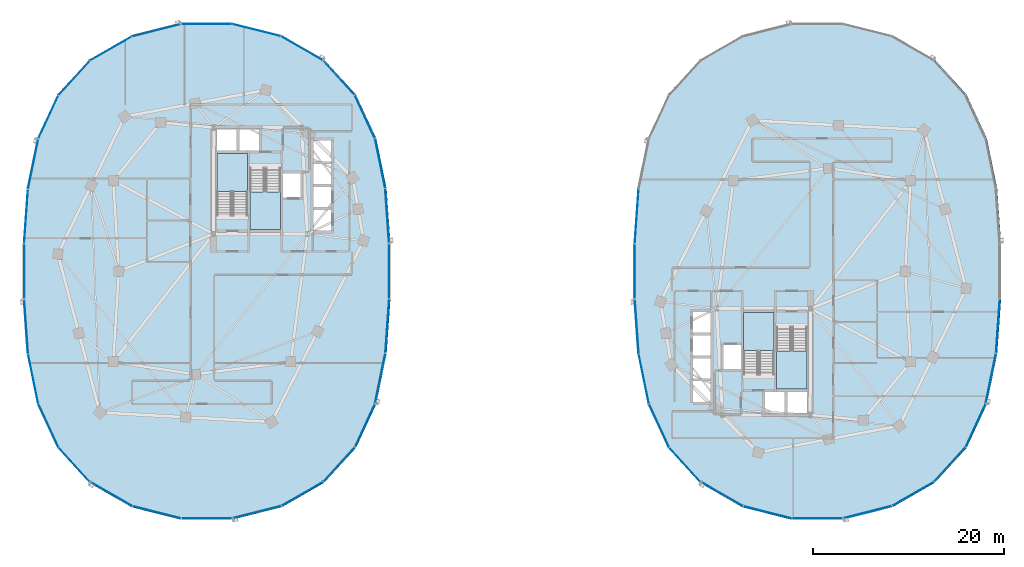
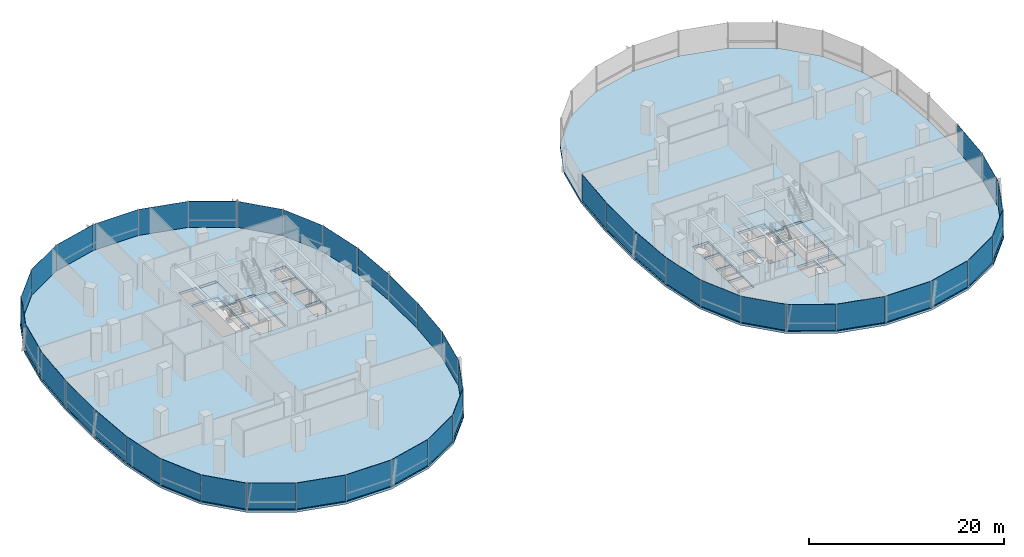
# One storey, part 9 of 21: 43 plates, 6 slabs, 11 elements without a shape of their own.
"""IFC4 building model written with IfcOpenShell, lengths in metres."""

import ifcopenshell
import ifcopenshell.guid

model = None  # the IFC model being written
_history = None  # IfcOwnerHistory: only IFC2X3 demands one
_inside = {}  # id of a spatial element -> (the spatial element, [elements in it])
_under = {}  # id of a project, library or spatial element -> (it, [spatial elements below it])
_declared = {}  # id of a project -> (the project, [libraries it declares])
_typed = {}  # id of a type object -> (the type object, [elements of that type])
_made_of = {}  # id of a material, layer set ... -> (it, [elements and type objects made of it])


def new_model(schema):
    """Start an empty IFC model of exactly this schema.

    Asked for "IFC4X3", IfcOpenShell would pick the latest addendum, in which some entities
    have other attributes; the version numbers below select the first issue.
    IFC2X3 requires an IfcOwnerHistory on every rooted entity: one is made here for all.
    """
    global model, _history
    if schema == "IFC4X3":
        model = ifcopenshell.file(schema_version=(4, 3, 0, 0))
    else:
        model = ifcopenshell.file(schema=schema)
    _inside.clear()
    _under.clear()
    _declared.clear()
    _typed.clear()
    _made_of.clear()
    _history = None
    if model.schema == "IFC2X3":
        org = make("IfcOrganization", Name="unknown")
        user = make(
            "IfcPersonAndOrganization",
            ThePerson=make("IfcPerson", FamilyName="unknown"),
            TheOrganization=org,
        )
        app = make(
            "IfcApplication",
            ApplicationDeveloper=org,
            Version="unknown",
            ApplicationFullName="unknown",
            ApplicationIdentifier="unknown",
        )
        _history = make(
            "IfcOwnerHistory",
            OwningUser=user,
            OwningApplication=app,
            ChangeAction="ADDED",
            CreationDate=0,
        )
    return model


def make(cls, **values):
    """One entity of the class cls with the attributes given. An attribute that is None is left unset."""
    return model.create_entity(
        cls, **{name: value for name, value in values.items() if value is not None}
    )


def rooted(cls, **values):
    """An entity with a GlobalId (a new one), such as an element, a storey or a relation."""
    return make(cls, GlobalId=ifcopenshell.guid.new(), OwnerHistory=_history, **values)


def si_unit(unit_type, name, prefix=None):
    """IfcSIUnit, for example si_unit("LENGTHUNIT", "METRE", prefix="MILLI")."""
    return make("IfcSIUnit", UnitType=unit_type, Prefix=prefix, Name=name)


def assignment(units):
    """IfcUnitAssignment: the units of a project."""
    return None if units is None else make("IfcUnitAssignment", Units=units)


def point(xyz):
    """IfcCartesianPoint."""
    return None if xyz is None else make("IfcCartesianPoint", Coordinates=xyz)


def direction(xyz):
    """IfcDirection."""
    return None if xyz is None else make("IfcDirection", DirectionRatios=xyz)


def frame(location, z_axis=None, x_axis=None):
    """IfcAxis2Placement3D, a coordinate frame: its origin and axes. An axis left out is left unset."""
    return make(
        "IfcAxis2Placement3D",
        Location=point(location),
        Axis=direction(z_axis),
        RefDirection=direction(x_axis),
    )


def frame_2d(location, x_axis=None):
    """IfcAxis2Placement2D, a coordinate frame in the plane: its origin and x axis."""
    return make(
        "IfcAxis2Placement2D", Location=point(location), RefDirection=direction(x_axis)
    )


def origin():
    """The frame at (0, 0, 0) with its axes left unset."""
    return frame((0.0, 0.0, 0.0))


def origin_2d():
    """The frame at (0, 0) in the plane with its x axis left unset."""
    return frame_2d((0.0, 0.0))


def place(relative_to, where):
    """IfcLocalPlacement: puts the frame where relative to a parent placement (None: the world)."""
    return make(
        "IfcLocalPlacement", PlacementRelTo=relative_to, RelativePlacement=where
    )


def context(
    kind, dimensions, precision=None, world=None, true_north=None, identifier=None
):
    """IfcGeometricRepresentationContext, for example the 3D "Model" context."""
    return make(
        "IfcGeometricRepresentationContext",
        ContextIdentifier=identifier,
        ContextType=kind,
        CoordinateSpaceDimension=dimensions,
        Precision=precision,
        WorldCoordinateSystem=world,
        TrueNorth=true_north,
    )


def subcontext(parent, identifier, kind, view, scale=None):
    """IfcGeometricRepresentationSubContext, for example "Body" below "Model"."""
    return make(
        "IfcGeometricRepresentationSubContext",
        ContextIdentifier=identifier,
        ContextType=kind,
        ParentContext=parent,
        TargetScale=scale,
        TargetView=view,
    )


def project(units=None, contexts=None):
    """IfcProject with its units and contexts."""
    return rooted(
        "IfcProject",
        Name="project",
        RepresentationContexts=contexts,
        UnitsInContext=assignment(units),
    )


def spatial(cls, under=None, at=None, **own):
    """A site, building, storey or space (cls), placed at a placement, below another one or the project."""
    s = rooted(cls, ObjectPlacement=at, **own)
    if under is not None:
        _under.setdefault(under.id(), (under, []))[1].append(s)
    return s


def polyline(points):
    """IfcPolyline through the points."""
    return make("IfcPolyline", Points=[point(p) for p in points])


def profile(cls, at=None, kind="AREA", **sizes):
    """A parametric profile (cls). Its sizes go by their IFC names, for example OverallWidth=200.0."""
    return make(cls, ProfileType=kind, Position=at, **sizes)


def rectangle(**sizes):
    """IfcRectangleProfileDef."""
    return profile("IfcRectangleProfileDef", **sizes)


def outline(outer, holes=None, kind="AREA"):
    """IfcArbitraryClosedProfileDef: a profile drawn as a closed curve; with holes, ...WithVoids."""
    if holes is None:
        return make("IfcArbitraryClosedProfileDef", ProfileType=kind, OuterCurve=outer)
    return make(
        "IfcArbitraryProfileDefWithVoids",
        ProfileType=kind,
        OuterCurve=outer,
        InnerCurves=holes,
    )


def extrude(swept, where, along, depth):
    """IfcExtrudedAreaSolid: the profile swept, set in the frame where, extruded along a direction by depth."""
    return make(
        "IfcExtrudedAreaSolid",
        SweptArea=swept,
        Position=where,
        ExtrudedDirection=direction(along),
        Depth=depth,
    )


def shape(context_of_items, identifier, shape_type, items):
    """IfcShapeRepresentation: the items that make up one representation, for example the "Body"."""
    return make(
        "IfcShapeRepresentation",
        ContextOfItems=context_of_items,
        RepresentationIdentifier=identifier,
        RepresentationType=shape_type,
        Items=items,
    )


def material(Name=None, Category=None):
    """IfcMaterial."""
    return make("IfcMaterial", Name=Name, Category=Category)


def layer(
    of_material, thickness, ventilated=None, Name=None, Category=None, Priority=None
):
    """IfcMaterialLayer: one layer of a wall or slab, of a material (None: an air gap)."""
    return make(
        "IfcMaterialLayer",
        Material=of_material,
        LayerThickness=thickness,
        IsVentilated=ventilated,
        Name=Name,
        Category=Category,
        Priority=Priority,
    )


def layer_set(layers, Name=None):
    """IfcMaterialLayerSet."""
    return make("IfcMaterialLayerSet", MaterialLayers=layers, LayerSetName=Name)


def made_of(thing, what):
    """Note that an element or type object is made of a material, layer set ...; save() writes the relation."""
    if what is not None:
        _made_of.setdefault(what.id(), (what, []))[1].append(thing)
    return thing


def type_object(cls, material=None, **own):
    """A type object (cls), such as IfcWallType, which elements share."""
    return made_of(rooted(cls, **own), material)


def element(
    cls,
    number,
    at=None,
    inside=None,
    cuts=None,
    type_object=None,
    material=None,
    context=None,
    identifier="Body",
    shape_type=None,
    held_by="IfcProductDefinitionShape",
    body=None,
    shapes=None,
    **own,
):
    """One element of the class cls, such as IfcWall. Its Tag is "e" and its number.

    at: its placement. inside: the storey or other place that contains it. cuts: it is an
    opening in that element (IfcRelVoidsElement). A single representation is given by context,
    identifier, shape_type and body (its items); several are given by shapes. held_by: the class
    of the entity that holds the representations. save() writes the other relations.
    """
    e = rooted(cls, Tag="e%d" % number, ObjectPlacement=at, **own)
    if body is not None:
        shapes = [shape(context, identifier, shape_type, body)]
    if shapes is not None:
        e.Representation = make(held_by, Representations=shapes)
    if inside is not None:
        _inside.setdefault(inside.id(), (inside, []))[1].append(e)
    if cuts is not None:
        rooted(
            "IfcRelVoidsElement", RelatingBuildingElement=cuts, RelatedOpeningElement=e
        )
    if type_object is not None:
        _typed.setdefault(type_object.id(), (type_object, []))[1].append(e)
    return made_of(e, material)


def aggregate(whole, parts):
    """IfcRelAggregates: a whole, such as a stair, and the parts it consists of."""
    return rooted("IfcRelAggregates", RelatingObject=whole, RelatedObjects=parts)


def save(model, path):
    """Write the relations noted so far, then the file.

    IfcRelAggregates (storeys below a building ...), IfcRelContainedInSpatialStructure (elements
    in a storey), IfcRelDefinesByType, IfcRelAssociatesMaterial and IfcRelDeclares: one each for
    every whole, place, type object, material and project.
    """
    for whole, parts in _under.values():
        aggregate(whole, parts)
    for where, things in _inside.values():
        rooted(
            "IfcRelContainedInSpatialStructure",
            RelatedElements=things,
            RelatingStructure=where,
        )
    for kind, things in _typed.values():
        rooted("IfcRelDefinesByType", RelatedObjects=things, RelatingType=kind)
    for what, things in _made_of.values():
        rooted("IfcRelAssociatesMaterial", RelatedObjects=things, RelatingMaterial=what)
    for by, libraries in _declared.values():
        rooted("IfcRelDeclares", RelatingContext=by, RelatedDefinitions=libraries)
    model.write(path)


model = new_model("IFC4")

# Units and contexts
model_context = context("Model", 3, precision=1e-05, world=origin(), true_north=direction((0.0, 1.0)))
body_context = subcontext(model_context, "Body", "Model", "MODEL_VIEW")
ifc_project = project(units=[si_unit("LENGTHUNIT", "METRE"), si_unit("AREAUNIT", "SQUARE_METRE"), si_unit("VOLUMEUNIT", "CUBIC_METRE"), si_unit("PLANEANGLEUNIT", "RADIAN"), si_unit("MASSUNIT", "GRAM", prefix="KILO"), si_unit("THERMODYNAMICTEMPERATUREUNIT", "KELVIN"), si_unit("POWERUNIT", "WATT")], contexts=[model_context])

# Site, building, storey
site_placement = place(None, origin())
site = spatial("IfcSite", under=ifc_project, at=site_placement, CompositionType="ELEMENT")
building_placement = place(site_placement, origin())
building = spatial("IfcBuilding", under=site, at=building_placement, Name="Cundina Bronze Exchange", CompositionType="ELEMENT")
storey_placement = place(building_placement, frame((0.0, 0.0, 99.800048828125)))
storey = spatial("IfcBuildingStorey", under=building, at=storey_placement, Name="L25", CompositionType="ELEMENT", Elevation=99.800048828125)

# Curtain wall, plates
ifc_material_1 = material(Name="Anodised Bronze Aluminium 6063-T6", Category="aluminium")
curtain_wall_type = type_object("IfcCurtainWallType", Name="CWS-TRD-MID", PredefinedType="NOTDEFINED", material=ifc_material_1)
curtain_wall_1_placement = place(storey_placement, origin())
curtain_wall_1 = element("IfcCurtainWall", 1, at=curtain_wall_1_placement, inside=storey, type_object=curtain_wall_type, Name="L25 CW-03 Curtain Wall Run CWR-L25-W1", PredefinedType="NOTDEFINED")
ifc_material_2 = material(Name="Heat-Strengthened Solar-Control Bronze Safety Glass 28mm", Category="glass")
ifc_layer_1 = layer(ifc_material_2, 0.028076171875, Name="Heat-Strengthened Solar-Control Bronze Safety Glass 28mm", Category="glass")
ifc_layer_set_1 = layer_set([ifc_layer_1], Name="Heat-Strengthened Solar-Control Bronze Safety Glass 28mm")
plate_type_1 = type_object("IfcPlateType", Name="PLT-GLZ-VIS28", PredefinedType="CURTAIN_PANEL", material=ifc_layer_set_1)
plate_1_placement = place(storey_placement, frame((-13.0732421875, 5.783935546875, 0.02001953125), z_axis=(0.0, 0.0, 1.0), x_axis=(-0.070278787473, 0.997527389113, 0.0)))
plate_1 = element("IfcPlate", 2, at=plate_1_placement, type_object=plate_type_1, Name="CW-03 Glazed Panel 1", PredefinedType="CURTAIN_PANEL", context=body_context, shape_type="SweptSolid", body=[
    extrude(rectangle(XDim=5.644287109375, YDim=0.028076171875, at=origin_2d()), origin(), (0.0, 0.0, 1.0), 3.260009765625),
])
plate_2_placement = place(storey_placement, frame((-13.81591796875, 11.269775390625, 0.02001953125), z_axis=(0.0, 0.0, 1.0), x_axis=(-0.201419845156, 0.979505000486, 0.0)))
plate_2 = element("IfcPlate", 3, at=plate_2_placement, type_object=plate_type_1, Name="CW-03 Glazed Panel 2", PredefinedType="CURTAIN_PANEL", context=body_context, shape_type="SweptSolid", body=[
    extrude(rectangle(XDim=5.306640625, YDim=0.028076171875, at=origin_2d()), origin(), (0.0, 0.0, 1.0), 3.260009765625),
])
plate_3_placement = place(storey_placement, frame((-15.413818359375, 16.177734375, 0.02001953125), z_axis=(0.0, 0.0, 1.0), x_axis=(-0.42084583328, 0.907132175932, 0.0)))
plate_3 = element("IfcPlate", 4, at=plate_3_placement, type_object=plate_type_1, Name="CW-03 Glazed Panel 3", PredefinedType="CURTAIN_PANEL", context=body_context, shape_type="SweptSolid", body=[
    extrude(rectangle(XDim=4.966552734375, YDim=0.028076171875, at=origin_2d()), origin(), (0.0, 0.0, 1.0), 3.260009765625),
])
plate_4_placement = place(storey_placement, frame((-18.1259765625, 20.267333984375, 0.02001953125), z_axis=(0.0, 0.0, 1.0), x_axis=(-0.674276610219, 0.73847887777, 0.0)))
plate_4 = element("IfcPlate", 5, at=plate_4_placement, type_object=plate_type_1, Name="CW-03 Glazed Panel 4", PredefinedType="CURTAIN_PANEL", context=body_context, shape_type="SweptSolid", body=[
    extrude(rectangle(XDim=4.86328125, YDim=0.028076171875, at=origin_2d()), origin(), (0.0, 0.0, 1.0), 3.260009765625),
])
plate_5_placement = place(storey_placement, frame((-26.744384765625, 25.256591796875, 0.02001953125), z_axis=(0.0, 0.0, 1.0), x_axis=(-0.969488149345, 0.245138182011, 0.0)))
plate_5 = element("IfcPlate", 6, at=plate_5_placement, type_object=plate_type_1, Name="CW-03 Glazed Panel 6", PredefinedType="CURTAIN_PANEL", context=body_context, shape_type="SweptSolid", body=[
    extrude(rectangle(XDim=5.2333984375, YDim=0.028076171875, at=origin_2d()), origin(), (0.0, 0.0, 1.0), 3.260009765625),
])
plate_6_placement = place(storey_placement, frame((-32.0, 25.905029296875, 0.02001953125), z_axis=(0.0, 0.0, 1.0), x_axis=(-1.0, 0.0, 0.0)))
plate_6 = element("IfcPlate", 7, at=plate_6_placement, type_object=plate_type_1, Name="CW-03 Glazed Panel 7", PredefinedType="CURTAIN_PANEL", context=body_context, shape_type="SweptSolid", body=[
    extrude(rectangle(XDim=5.323974609375, YDim=0.028076171875, at=origin_2d()), origin(), (0.0, 0.0, 1.0), 3.260009765625),
])

curtain_wall_2_placement = place(storey_placement, origin())
curtain_wall_2 = element("IfcCurtainWall", 8, at=curtain_wall_2_placement, inside=storey, type_object=curtain_wall_type, Name="L25 CW-03 Curtain Wall Run CWR-L25-W2", PredefinedType="NOTDEFINED")
plate_7_placement = place(storey_placement, frame((-37.255615234375, 25.256591796875, 0.02001953125), z_axis=(0.0, 0.0, 1.0), x_axis=(-0.969488149345, -0.245138182011, 0.0)))
plate_7 = element("IfcPlate", 9, at=plate_7_placement, type_object=plate_type_1, Name="CW-03 Glazed Panel 1", PredefinedType="CURTAIN_PANEL", context=body_context, shape_type="SweptSolid", body=[
    extrude(rectangle(XDim=5.2333984375, YDim=0.028076171875, at=origin_2d()), origin(), (0.0, 0.0, 1.0), 3.260009765625),
])
plate_8_placement = place(storey_placement, frame((-42.019287109375, 23.34423828125, 0.02001953125), z_axis=(0.0, 0.0, 1.0), x_axis=(-0.867105478933, -0.498124571171, 0.0)))
plate_8 = element("IfcPlate", 10, at=plate_8_placement, type_object=plate_type_1, Name="CW-03 Glazed Panel 2", PredefinedType="CURTAIN_PANEL", context=body_context, shape_type="SweptSolid", body=[
    extrude(rectangle(XDim=5.021240234375, YDim=0.028076171875, at=origin_2d()), origin(), (0.0, 0.0, 1.0), 3.260009765625),
])
plate_9_placement = place(storey_placement, frame((-45.8740234375, 20.267333984375, 0.02001953125), z_axis=(0.0, 0.0, 1.0), x_axis=(-0.674276610219, -0.73847887777, 0.0)))
plate_9 = element("IfcPlate", 11, at=plate_9_placement, type_object=plate_type_1, Name="CW-03 Glazed Panel 3", PredefinedType="CURTAIN_PANEL", context=body_context, shape_type="SweptSolid", body=[
    extrude(rectangle(XDim=4.86328125, YDim=0.028076171875, at=origin_2d()), origin(), (0.0, 0.0, 1.0), 3.260009765625),
])
plate_10_placement = place(storey_placement, frame((-50.18408203125, 11.269775390625, 0.02001953125), z_axis=(0.0, 0.0, 1.0), x_axis=(-0.201419845156, -0.979505000486, 0.0)))
plate_10 = element("IfcPlate", 12, at=plate_10_placement, type_object=plate_type_1, Name="CW-03 Glazed Panel 5", PredefinedType="CURTAIN_PANEL", context=body_context, shape_type="SweptSolid", body=[
    extrude(rectangle(XDim=5.306640625, YDim=0.028076171875, at=origin_2d()), origin(), (0.0, 0.0, 1.0), 3.260009765625),
])
plate_11_placement = place(storey_placement, frame((-50.9267578125, 5.783935546875, 0.02001953125), z_axis=(0.0, 0.0, 1.0), x_axis=(-0.070278787473, -0.997527389113, 0.0)))
plate_11 = element("IfcPlate", 13, at=plate_11_placement, type_object=plate_type_1, Name="CW-03 Glazed Panel 6", PredefinedType="CURTAIN_PANEL", context=body_context, shape_type="SweptSolid", body=[
    extrude(rectangle(XDim=5.644287109375, YDim=0.028076171875, at=origin_2d()), origin(), (0.0, 0.0, 1.0), 3.260009765625),
])
plate_12_placement = place(storey_placement, frame((-51.1279296875, 0.0, 0.02001953125), z_axis=(0.0, 0.0, 1.0), x_axis=(0.0, -1.0, 0.0)))
plate_12 = element("IfcPlate", 14, at=plate_12_placement, type_object=plate_type_1, Name="CW-03 Glazed Panel 7", PredefinedType="CURTAIN_PANEL", context=body_context, shape_type="SweptSolid", body=[
    extrude(rectangle(XDim=5.77587890625, YDim=0.028076171875, at=origin_2d()), origin(), (0.0, 0.0, 1.0), 3.260009765625),
])

curtain_wall_3_placement = place(storey_placement, origin())
curtain_wall_3 = element("IfcCurtainWall", 15, at=curtain_wall_3_placement, inside=storey, type_object=curtain_wall_type, Name="L25 CW-03 Curtain Wall Run CWR-L25-W3", PredefinedType="NOTDEFINED")
plate_13_placement = place(storey_placement, frame((-50.9267578125, -5.783935546875, 0.02001953125), z_axis=(0.0, 0.0, 1.0), x_axis=(0.070278787473, -0.997527389113, 0.0)))
plate_13 = element("IfcPlate", 16, at=plate_13_placement, type_object=plate_type_1, Name="CW-03 Glazed Panel 1", PredefinedType="CURTAIN_PANEL", context=body_context, shape_type="SweptSolid", body=[
    extrude(rectangle(XDim=5.644287109375, YDim=0.028076171875, at=origin_2d()), origin(), (0.0, 0.0, 1.0), 3.260009765625),
])
plate_14_placement = place(storey_placement, frame((-50.18408203125, -11.269775390625, 0.02001953125), z_axis=(0.0, 0.0, 1.0), x_axis=(0.201419845156, -0.979505000486, 0.0)))
plate_14 = element("IfcPlate", 17, at=plate_14_placement, type_object=plate_type_1, Name="CW-03 Glazed Panel 2", PredefinedType="CURTAIN_PANEL", context=body_context, shape_type="SweptSolid", body=[
    extrude(rectangle(XDim=5.306640625, YDim=0.028076171875, at=origin_2d()), origin(), (0.0, 0.0, 1.0), 3.260009765625),
])
plate_15_placement = place(storey_placement, frame((-45.8740234375, -20.267333984375, 0.02001953125), z_axis=(0.0, 0.0, 1.0), x_axis=(0.674276610219, -0.73847887777, 0.0)))
plate_15 = element("IfcPlate", 18, at=plate_15_placement, type_object=plate_type_1, Name="CW-03 Glazed Panel 4", PredefinedType="CURTAIN_PANEL", context=body_context, shape_type="SweptSolid", body=[
    extrude(rectangle(XDim=4.86328125, YDim=0.028076171875, at=origin_2d()), origin(), (0.0, 0.0, 1.0), 3.260009765625),
])
plate_16_placement = place(storey_placement, frame((-42.019287109375, -23.34423828125, 0.02001953125), z_axis=(0.0, 0.0, 1.0), x_axis=(0.867105478933, -0.498124571171, 0.0)))
plate_16 = element("IfcPlate", 19, at=plate_16_placement, type_object=plate_type_1, Name="CW-03 Glazed Panel 5", PredefinedType="CURTAIN_PANEL", context=body_context, shape_type="SweptSolid", body=[
    extrude(rectangle(XDim=5.021240234375, YDim=0.028076171875, at=origin_2d()), origin(), (0.0, 0.0, 1.0), 3.260009765625),
])
plate_17_placement = place(storey_placement, frame((-37.255615234375, -25.256591796875, 0.02001953125), z_axis=(0.0, 0.0, 1.0), x_axis=(0.969488149345, -0.245138182011, 0.0)))
plate_17 = element("IfcPlate", 20, at=plate_17_placement, type_object=plate_type_1, Name="CW-03 Glazed Panel 6", PredefinedType="CURTAIN_PANEL", context=body_context, shape_type="SweptSolid", body=[
    extrude(rectangle(XDim=5.2333984375, YDim=0.028076171875, at=origin_2d()), origin(), (0.0, 0.0, 1.0), 3.260009765625),
])
plate_18_placement = place(storey_placement, frame((-32.0, -25.905029296875, 0.02001953125), z_axis=(0.0, 0.0, 1.0), x_axis=(1.0, 0.0, 0.0)))
plate_18 = element("IfcPlate", 21, at=plate_18_placement, type_object=plate_type_1, Name="CW-03 Glazed Panel 7", PredefinedType="CURTAIN_PANEL", context=body_context, shape_type="SweptSolid", body=[
    extrude(rectangle(XDim=5.323974609375, YDim=0.028076171875, at=origin_2d()), origin(), (0.0, 0.0, 1.0), 3.260009765625),
])

curtain_wall_4_placement = place(storey_placement, origin())
curtain_wall_4 = element("IfcCurtainWall", 22, at=curtain_wall_4_placement, inside=storey, type_object=curtain_wall_type, Name="L25 CW-03 Curtain Wall Run CWR-L25-W4", PredefinedType="NOTDEFINED")
plate_19_placement = place(storey_placement, frame((-26.744384765625, -25.256591796875, 0.02001953125), z_axis=(0.0, 0.0, 1.0), x_axis=(0.969488149345, 0.245138182011, 0.0)))
plate_19 = element("IfcPlate", 23, at=plate_19_placement, type_object=plate_type_1, Name="CW-03 Glazed Panel 1", PredefinedType="CURTAIN_PANEL", context=body_context, shape_type="SweptSolid", body=[
    extrude(rectangle(XDim=5.2333984375, YDim=0.028076171875, at=origin_2d()), origin(), (0.0, 0.0, 1.0), 3.260009765625),
])
plate_20_placement = place(storey_placement, frame((-18.1259765625, -20.267333984375, 0.02001953125), z_axis=(0.0, 0.0, 1.0), x_axis=(0.674276610219, 0.73847887777, 0.0)))
plate_20 = element("IfcPlate", 24, at=plate_20_placement, type_object=plate_type_1, Name="CW-03 Glazed Panel 3", PredefinedType="CURTAIN_PANEL", context=body_context, shape_type="SweptSolid", body=[
    extrude(rectangle(XDim=4.86328125, YDim=0.028076171875, at=origin_2d()), origin(), (0.0, 0.0, 1.0), 3.260009765625),
])
plate_21_placement = place(storey_placement, frame((-15.413818359375, -16.177734375, 0.02001953125), z_axis=(0.0, 0.0, 1.0), x_axis=(0.42084583328, 0.907132175932, 0.0)))
plate_21 = element("IfcPlate", 25, at=plate_21_placement, type_object=plate_type_1, Name="CW-03 Glazed Panel 4", PredefinedType="CURTAIN_PANEL", context=body_context, shape_type="SweptSolid", body=[
    extrude(rectangle(XDim=4.966552734375, YDim=0.028076171875, at=origin_2d()), origin(), (0.0, 0.0, 1.0), 3.260009765625),
])
plate_22_placement = place(storey_placement, frame((-13.81591796875, -11.269775390625, 0.02001953125), z_axis=(0.0, 0.0, 1.0), x_axis=(0.201419845156, 0.979505000486, 0.0)))
plate_22 = element("IfcPlate", 26, at=plate_22_placement, type_object=plate_type_1, Name="CW-03 Glazed Panel 5", PredefinedType="CURTAIN_PANEL", context=body_context, shape_type="SweptSolid", body=[
    extrude(rectangle(XDim=5.306640625, YDim=0.028076171875, at=origin_2d()), origin(), (0.0, 0.0, 1.0), 3.260009765625),
])
plate_23_placement = place(storey_placement, frame((-13.0732421875, -5.783935546875, 0.02001953125), z_axis=(0.0, 0.0, 1.0), x_axis=(0.070278787473, 0.997527389113, 0.0)))
plate_23 = element("IfcPlate", 27, at=plate_23_placement, type_object=plate_type_1, Name="CW-03 Glazed Panel 6", PredefinedType="CURTAIN_PANEL", context=body_context, shape_type="SweptSolid", body=[
    extrude(rectangle(XDim=5.644287109375, YDim=0.028076171875, at=origin_2d()), origin(), (0.0, 0.0, 1.0), 3.260009765625),
])

curtain_wall_5_placement = place(storey_placement, origin())
curtain_wall_5 = element("IfcCurtainWall", 28, at=curtain_wall_5_placement, inside=storey, type_object=curtain_wall_type, Name="L25 CW-03 Curtain Wall Run CWR-L25-E2", PredefinedType="NOTDEFINED")
plate_24_placement = place(storey_placement, frame((13.0732421875, 5.783935546875, 0.02001953125), z_axis=(0.0, 0.0, 1.0), x_axis=(-0.070278787473, -0.997527389113, 0.0)))
plate_24 = element("IfcPlate", 29, at=plate_24_placement, type_object=plate_type_1, Name="CW-03 Glazed Panel 6", PredefinedType="CURTAIN_PANEL", context=body_context, shape_type="SweptSolid", body=[
    extrude(rectangle(XDim=5.644287109375, YDim=0.028076171875, at=origin_2d()), origin(), (0.0, 0.0, 1.0), 3.260009765625),
])
plate_25_placement = place(storey_placement, frame((12.8720703125, 0.0, 0.02001953125), z_axis=(0.0, 0.0, 1.0), x_axis=(0.0, -1.0, 0.0)))
plate_25 = element("IfcPlate", 30, at=plate_25_placement, type_object=plate_type_1, Name="CW-03 Glazed Panel 7", PredefinedType="CURTAIN_PANEL", context=body_context, shape_type="SweptSolid", body=[
    extrude(rectangle(XDim=5.77587890625, YDim=0.028076171875, at=origin_2d()), origin(), (0.0, 0.0, 1.0), 3.260009765625),
])
aggregate(curtain_wall_5, [plate_24, plate_25])

curtain_wall_6_placement = place(storey_placement, origin())
curtain_wall_6 = element("IfcCurtainWall", 31, at=curtain_wall_6_placement, inside=storey, type_object=curtain_wall_type, Name="L25 CW-03 Curtain Wall Run CWR-L25-E3", PredefinedType="NOTDEFINED")
plate_26_placement = place(storey_placement, frame((13.0732421875, -5.783935546875, 0.02001953125), z_axis=(0.0, 0.0, 1.0), x_axis=(0.070278787473, -0.997527389113, 0.0)))
plate_26 = element("IfcPlate", 32, at=plate_26_placement, type_object=plate_type_1, Name="CW-03 Glazed Panel 1", PredefinedType="CURTAIN_PANEL", context=body_context, shape_type="SweptSolid", body=[
    extrude(rectangle(XDim=5.644287109375, YDim=0.028076171875, at=origin_2d()), origin(), (0.0, 0.0, 1.0), 3.260009765625),
])
plate_27_placement = place(storey_placement, frame((13.81591796875, -11.269775390625, 0.02001953125), z_axis=(0.0, 0.0, 1.0), x_axis=(0.201419845156, -0.979505000486, 0.0)))
plate_27 = element("IfcPlate", 33, at=plate_27_placement, type_object=plate_type_1, Name="CW-03 Glazed Panel 2", PredefinedType="CURTAIN_PANEL", context=body_context, shape_type="SweptSolid", body=[
    extrude(rectangle(XDim=5.306640625, YDim=0.028076171875, at=origin_2d()), origin(), (0.0, 0.0, 1.0), 3.260009765625),
])
plate_28_placement = place(storey_placement, frame((18.1259765625, -20.267333984375, 0.02001953125), z_axis=(0.0, 0.0, 1.0), x_axis=(0.674276610219, -0.73847887777, 0.0)))
plate_28 = element("IfcPlate", 34, at=plate_28_placement, type_object=plate_type_1, Name="CW-03 Glazed Panel 4", PredefinedType="CURTAIN_PANEL", context=body_context, shape_type="SweptSolid", body=[
    extrude(rectangle(XDim=4.86328125, YDim=0.028076171875, at=origin_2d()), origin(), (0.0, 0.0, 1.0), 3.260009765625),
])
plate_29_placement = place(storey_placement, frame((21.980712890625, -23.34423828125, 0.02001953125), z_axis=(0.0, 0.0, 1.0), x_axis=(0.867105478933, -0.498124571171, 0.0)))
plate_29 = element("IfcPlate", 35, at=plate_29_placement, type_object=plate_type_1, Name="CW-03 Glazed Panel 5", PredefinedType="CURTAIN_PANEL", context=body_context, shape_type="SweptSolid", body=[
    extrude(rectangle(XDim=5.021240234375, YDim=0.028076171875, at=origin_2d()), origin(), (0.0, 0.0, 1.0), 3.260009765625),
])
plate_30_placement = place(storey_placement, frame((26.744384765625, -25.256591796875, 0.02001953125), z_axis=(0.0, 0.0, 1.0), x_axis=(0.969488149345, -0.245138182011, 0.0)))
plate_30 = element("IfcPlate", 36, at=plate_30_placement, type_object=plate_type_1, Name="CW-03 Glazed Panel 6", PredefinedType="CURTAIN_PANEL", context=body_context, shape_type="SweptSolid", body=[
    extrude(rectangle(XDim=5.2333984375, YDim=0.028076171875, at=origin_2d()), origin(), (0.0, 0.0, 1.0), 3.260009765625),
])
plate_31_placement = place(storey_placement, frame((32.0, -25.905029296875, 0.02001953125), z_axis=(0.0, 0.0, 1.0), x_axis=(1.0, 0.0, 0.0)))
plate_31 = element("IfcPlate", 37, at=plate_31_placement, type_object=plate_type_1, Name="CW-03 Glazed Panel 7", PredefinedType="CURTAIN_PANEL", context=body_context, shape_type="SweptSolid", body=[
    extrude(rectangle(XDim=5.323974609375, YDim=0.028076171875, at=origin_2d()), origin(), (0.0, 0.0, 1.0), 3.260009765625),
])

curtain_wall_7_placement = place(storey_placement, origin())
curtain_wall_7 = element("IfcCurtainWall", 38, at=curtain_wall_7_placement, inside=storey, type_object=curtain_wall_type, Name="L25 CW-03 Curtain Wall Run CWR-L25-E4", PredefinedType="NOTDEFINED")
plate_32_placement = place(storey_placement, frame((37.255615234375, -25.256591796875, 0.02001953125), z_axis=(0.0, 0.0, 1.0), x_axis=(0.969488149345, 0.245138182011, 0.0)))
plate_32 = element("IfcPlate", 39, at=plate_32_placement, type_object=plate_type_1, Name="CW-03 Glazed Panel 1", PredefinedType="CURTAIN_PANEL", context=body_context, shape_type="SweptSolid", body=[
    extrude(rectangle(XDim=5.2333984375, YDim=0.028076171875, at=origin_2d()), origin(), (0.0, 0.0, 1.0), 3.260009765625),
])
plate_33_placement = place(storey_placement, frame((45.8740234375, -20.267333984375, 0.02001953125), z_axis=(0.0, 0.0, 1.0), x_axis=(0.674276610219, 0.73847887777, 0.0)))
plate_33 = element("IfcPlate", 40, at=plate_33_placement, type_object=plate_type_1, Name="CW-03 Glazed Panel 3", PredefinedType="CURTAIN_PANEL", context=body_context, shape_type="SweptSolid", body=[
    extrude(rectangle(XDim=4.86328125, YDim=0.028076171875, at=origin_2d()), origin(), (0.0, 0.0, 1.0), 3.260009765625),
])
plate_34_placement = place(storey_placement, frame((48.586181640625, -16.177734375, 0.02001953125), z_axis=(0.0, 0.0, 1.0), x_axis=(0.42084583328, 0.907132175932, 0.0)))
plate_34 = element("IfcPlate", 41, at=plate_34_placement, type_object=plate_type_1, Name="CW-03 Glazed Panel 4", PredefinedType="CURTAIN_PANEL", context=body_context, shape_type="SweptSolid", body=[
    extrude(rectangle(XDim=4.966552734375, YDim=0.028076171875, at=origin_2d()), origin(), (0.0, 0.0, 1.0), 3.260009765625),
])
plate_35_placement = place(storey_placement, frame((50.18408203125, -11.269775390625, 0.02001953125), z_axis=(0.0, 0.0, 1.0), x_axis=(0.201419845156, 0.979505000486, 0.0)))
plate_35 = element("IfcPlate", 42, at=plate_35_placement, type_object=plate_type_1, Name="CW-03 Glazed Panel 5", PredefinedType="CURTAIN_PANEL", context=body_context, shape_type="SweptSolid", body=[
    extrude(rectangle(XDim=5.306640625, YDim=0.028076171875, at=origin_2d()), origin(), (0.0, 0.0, 1.0), 3.260009765625),
])
plate_36_placement = place(storey_placement, frame((50.9267578125, -5.783935546875, 0.02001953125), z_axis=(0.0, 0.0, 1.0), x_axis=(0.070278787473, 0.997527389113, 0.0)))
plate_36 = element("IfcPlate", 43, at=plate_36_placement, type_object=plate_type_1, Name="CW-03 Glazed Panel 6", PredefinedType="CURTAIN_PANEL", context=body_context, shape_type="SweptSolid", body=[
    extrude(rectangle(XDim=5.644287109375, YDim=0.028076171875, at=origin_2d()), origin(), (0.0, 0.0, 1.0), 3.260009765625),
])

# Plate
ifc_material_3 = material(Name="Dark Bronze Spandrel Glass Panel 32mm", Category="glass")
ifc_layer_2 = layer(ifc_material_3, 0.031982421875, Name="Dark Bronze Spandrel Glass Panel 32mm", Category="glass")
ifc_layer_set_2 = layer_set([ifc_layer_2], Name="Dark Bronze Spandrel Glass Panel 32mm")
plate_type_2 = type_object("IfcPlateType", Name="PLT-SPN-BRZ32", PredefinedType="CURTAIN_PANEL", material=ifc_layer_set_2)
plate_37_placement = place(storey_placement, frame((-21.980712890625, 23.34423828125, 0.02001953125), z_axis=(0.0, 0.0, 1.0), x_axis=(-0.867105478933, 0.498124571171, 0.0)))
plate_37 = element("IfcPlate", 44, at=plate_37_placement, type_object=plate_type_2, Name="CW-03 Glazed Panel 5", PredefinedType="CURTAIN_PANEL", context=body_context, shape_type="SweptSolid", body=[
    extrude(rectangle(XDim=5.021240234375, YDim=0.031982421875, at=origin_2d()), origin(), (0.0, 0.0, 1.0), 3.260009765625),
])

aggregate(curtain_wall_1, [plate_1, plate_2, plate_3, plate_4, plate_37, plate_5, plate_6])

plate_38_placement = place(storey_placement, frame((-48.586181640625, 16.177734375, 0.02001953125), z_axis=(0.0, 0.0, 1.0), x_axis=(-0.42084583328, -0.907132175932, 0.0)))
plate_38 = element("IfcPlate", 45, at=plate_38_placement, type_object=plate_type_2, Name="CW-03 Glazed Panel 4", PredefinedType="CURTAIN_PANEL", context=body_context, shape_type="SweptSolid", body=[
    extrude(rectangle(XDim=4.966552734375, YDim=0.031982421875, at=origin_2d()), origin(), (0.0, 0.0, 1.0), 3.260009765625),
])

aggregate(curtain_wall_2, [plate_7, plate_8, plate_9, plate_38, plate_10, plate_11, plate_12])

plate_39_placement = place(storey_placement, frame((-48.586181640625, -16.177734375, 0.02001953125), z_axis=(0.0, 0.0, 1.0), x_axis=(0.42084583328, -0.907132175932, 0.0)))
plate_39 = element("IfcPlate", 46, at=plate_39_placement, type_object=plate_type_2, Name="CW-03 Glazed Panel 3", PredefinedType="CURTAIN_PANEL", context=body_context, shape_type="SweptSolid", body=[
    extrude(rectangle(XDim=4.966552734375, YDim=0.031982421875, at=origin_2d()), origin(), (0.0, 0.0, 1.0), 3.260009765625),
])

aggregate(curtain_wall_3, [plate_13, plate_14, plate_39, plate_15, plate_16, plate_17, plate_18])

plate_40_placement = place(storey_placement, frame((-21.980712890625, -23.34423828125, 0.02001953125), z_axis=(0.0, 0.0, 1.0), x_axis=(0.867105478933, 0.498124571171, 0.0)))
plate_40 = element("IfcPlate", 47, at=plate_40_placement, type_object=plate_type_2, Name="CW-03 Glazed Panel 2", PredefinedType="CURTAIN_PANEL", context=body_context, shape_type="SweptSolid", body=[
    extrude(rectangle(XDim=5.021240234375, YDim=0.031982421875, at=origin_2d()), origin(), (0.0, 0.0, 1.0), 3.260009765625),
])

plate_41_placement = place(storey_placement, frame((-12.8720703125, 0.0, 0.02001953125), z_axis=(0.0, 0.0, 1.0), x_axis=(0.0, 1.0, 0.0)))
plate_41 = element("IfcPlate", 48, at=plate_41_placement, type_object=plate_type_2, Name="CW-03 Glazed Panel 7", PredefinedType="CURTAIN_PANEL", context=body_context, shape_type="SweptSolid", body=[
    extrude(rectangle(XDim=5.77587890625, YDim=0.031982421875, at=origin_2d()), origin(), (0.0, 0.0, 1.0), 3.260009765625),
])

aggregate(curtain_wall_4, [plate_19, plate_40, plate_20, plate_21, plate_22, plate_23, plate_41])

plate_42_placement = place(storey_placement, frame((15.413818359375, -16.177734375, 0.02001953125), z_axis=(0.0, 0.0, 1.0), x_axis=(0.42084583328, -0.907132175932, 0.0)))
plate_42 = element("IfcPlate", 49, at=plate_42_placement, type_object=plate_type_2, Name="CW-03 Glazed Panel 3", PredefinedType="CURTAIN_PANEL", context=body_context, shape_type="SweptSolid", body=[
    extrude(rectangle(XDim=4.966552734375, YDim=0.031982421875, at=origin_2d()), origin(), (0.0, 0.0, 1.0), 3.260009765625),
])

aggregate(curtain_wall_6, [plate_26, plate_27, plate_42, plate_28, plate_29, plate_30, plate_31])

plate_43_placement = place(storey_placement, frame((42.019287109375, -23.34423828125, 0.02001953125), z_axis=(0.0, 0.0, 1.0), x_axis=(0.867105478933, 0.498124571171, 0.0)))
plate_43 = element("IfcPlate", 50, at=plate_43_placement, type_object=plate_type_2, Name="CW-03 Glazed Panel 2", PredefinedType="CURTAIN_PANEL", context=body_context, shape_type="SweptSolid", body=[
    extrude(rectangle(XDim=5.021240234375, YDim=0.031982421875, at=origin_2d()), origin(), (0.0, 0.0, 1.0), 3.260009765625),
])

aggregate(curtain_wall_7, [plate_32, plate_43, plate_33, plate_34, plate_35, plate_36])

# Stair, slab
ifc_material_4 = material(Name="Concrete C40/50", Category="concrete")
stair_type = type_object("IfcStairType", Name="STR-OFF-360", PredefinedType="HALF_TURN_STAIR", material=ifc_material_4)
stair_1_placement = place(storey_placement, origin())
stair_1 = element("IfcStair", 51, at=stair_1_placement, inside=storey, type_object=stair_type, Name="L25 Smokeproof Exit Stair W1", PredefinedType="HALF_TURN_STAIR")
ifc_layer_3 = layer(ifc_material_4, 0.199951171875, Name="Concrete C40/50", Category="concrete")
ifc_layer_set_3 = layer_set([ifc_layer_3], Name="Concrete C40/50")
slab_type_1 = type_object("IfcSlabType", Name="SLB-LND-200", PredefinedType="LANDING", material=ifc_layer_set_3)
slab_1_placement = place(storey_placement, frame((0.0, 0.0, 1.599853515625)))
slab_1 = element("IfcSlab", 52, at=slab_1_placement, type_object=slab_type_1, Name="ST-W1 landing 1", PredefinedType="LANDING", context=body_context, shape_type="SweptSolid", body=[
    extrude(outline(polyline([(-27.739990234375, 8.3701171875), (-27.739990234375, 12.35009765625), (-30.89990234375, 12.35009765625), (-30.89990234375, 8.3701171875), (-27.739990234375, 8.3701171875)])), origin(), (0.0, 0.0, 1.0), 0.2001953125),
])
aggregate(stair_1, [slab_1])

stair_2_placement = place(storey_placement, origin())
stair_2 = element("IfcStair", 53, at=stair_2_placement, inside=storey, type_object=stair_type, Name="L25 Smokeproof Exit Stair W2", PredefinedType="HALF_TURN_STAIR")
slab_2_placement = place(storey_placement, frame((0.0, 0.0, 1.599853515625)))
slab_2 = element("IfcSlab", 54, at=slab_2_placement, type_object=slab_type_1, Name="ST-W2 landing 1", PredefinedType="LANDING", context=body_context, shape_type="SweptSolid", body=[
    extrude(outline(polyline([(-27.43994140625, 8.330078125), (-27.43994140625, 4.35009765625), (-24.280029296875, 4.35009765625), (-24.280029296875, 8.330078125), (-27.43994140625, 8.330078125)])), origin(), (0.0, 0.0, 1.0), 0.2001953125),
])
aggregate(stair_2, [slab_2])

stair_3_placement = place(storey_placement, origin())
stair_3 = element("IfcStair", 55, at=stair_3_placement, inside=storey, type_object=stair_type, Name="L25 Smokeproof Exit Stair E1", PredefinedType="HALF_TURN_STAIR")
slab_3_placement = place(storey_placement, frame((0.0, 0.0, 1.599853515625)))
slab_3 = element("IfcSlab", 56, at=slab_3_placement, type_object=slab_type_1, Name="ST-E1 landing 1", PredefinedType="LANDING", context=body_context, shape_type="SweptSolid", body=[
    extrude(outline(polyline([(27.739990234375, -8.3701171875), (27.739990234375, -12.35009765625), (30.89990234375, -12.35009765625), (30.89990234375, -8.3701171875), (27.739990234375, -8.3701171875)])), origin(), (0.0, 0.0, 1.0), 0.2001953125),
])
aggregate(stair_3, [slab_3])

stair_4_placement = place(storey_placement, origin())
stair_4 = element("IfcStair", 57, at=stair_4_placement, inside=storey, type_object=stair_type, Name="L25 Smokeproof Exit Stair E2", PredefinedType="HALF_TURN_STAIR")
slab_4_placement = place(storey_placement, frame((0.0, 0.0, 1.599853515625)))
slab_4 = element("IfcSlab", 58, at=slab_4_placement, type_object=slab_type_1, Name="ST-E2 landing 1", PredefinedType="LANDING", context=body_context, shape_type="SweptSolid", body=[
    extrude(outline(polyline([(27.43994140625, -8.330078125), (27.43994140625, -4.35009765625), (24.280029296875, -4.35009765625), (24.280029296875, -8.330078125), (27.43994140625, -8.330078125)])), origin(), (0.0, 0.0, 1.0), 0.2001953125),
])
aggregate(stair_4, [slab_4])

# Slabs
ifc_material_5 = material(Name="Concrete C50/60", Category="concrete")
ifc_layer_4 = layer(ifc_material_5, 0.300048828125, Name="Concrete C50/60", Category="concrete")
ifc_layer_set_4 = layer_set([ifc_layer_4], Name="Concrete C50/60")
slab_type_2 = type_object("IfcSlabType", Name="SLB-TRD-300", PredefinedType="FLOOR", material=ifc_layer_set_4)
slab_5_placement = place(storey_placement, frame((0.0, 0.0, -0.300048828125)))
element("IfcSlab", 59, at=slab_5_placement, inside=storey, type_object=slab_type_2, Name="L25 Leg W Structural Floor Slab", PredefinedType="FLOOR", context=body_context, shape_type="SweptSolid", body=[
    extrude(outline(polyline([(-12.741943359375, 2.93310546875), (-13.14501953125, 8.653076171875), (-14.23193359375, 13.93896484375), (-16.360107421875, 18.52587890625), (-19.699951171875, 22.18408203125), (-24.132080078125, 24.72998046875), (-29.29296875, 26.034912109375), (-34.70703125, 26.034912109375), (-39.867919921875, 24.72998046875), (-44.300048828125, 22.18408203125), (-47.639892578125, 18.52587890625), (-49.76806640625, 13.93896484375), (-50.85498046875, 8.653076171875), (-51.258056640625, 2.93310546875), (-51.258056640625, -2.93310546875), (-50.85498046875, -8.653076171875), (-49.76806640625, -13.93896484375), (-47.639892578125, -18.52587890625), (-44.300048828125, -22.18408203125), (-39.867919921875, -24.72998046875), (-34.70703125, -26.034912109375), (-29.29296875, -26.034912109375), (-24.132080078125, -24.72998046875), (-19.699951171875, -22.18408203125), (-16.360107421875, -18.52587890625), (-14.23193359375, -13.93896484375), (-13.14501953125, -8.653076171875), (-12.741943359375, -2.93310546875), (-12.741943359375, 2.93310546875)]), holes=[polyline([(-27.739990234375, 5.85009765625), (-27.739990234375, 12.35009765625), (-30.89990234375, 12.35009765625), (-30.89990234375, 5.85009765625), (-27.739990234375, 5.85009765625)]), polyline([(-27.43994140625, 10.85009765625), (-27.43994140625, 4.35009765625), (-24.280029296875, 4.35009765625), (-24.280029296875, 10.85009765625), (-27.43994140625, 10.85009765625)]), polyline([(-23.97998046875, 10.25), (-22.179931640625, 10.25), (-22.179931640625, 7.75), (-23.97998046875, 7.75), (-23.97998046875, 10.25)]), polyline([(-30.89990234375, 14.949951171875), (-28.85009765625, 14.949951171875), (-28.85009765625, 12.64990234375), (-30.89990234375, 12.64990234375), (-30.89990234375, 14.949951171875)]), polyline([(-28.550048828125, 14.949951171875), (-26.5, 14.949951171875), (-26.5, 12.64990234375), (-28.550048828125, 12.64990234375), (-28.550048828125, 14.949951171875)]), polyline([(-20.800048828125, 13.699951171875), (-18.949951171875, 13.699951171875), (-18.949951171875, 11.449951171875), (-20.800048828125, 11.449951171875), (-20.800048828125, 13.699951171875)]), polyline([(-20.800048828125, 11.300048828125), (-18.949951171875, 11.300048828125), (-18.949951171875, 9.050048828125), (-20.800048828125, 9.050048828125), (-20.800048828125, 11.300048828125)]), polyline([(-20.800048828125, 8.89990234375), (-18.949951171875, 8.89990234375), (-18.949951171875, 6.64990234375), (-20.800048828125, 6.64990234375), (-20.800048828125, 8.89990234375)]), polyline([(-20.800048828125, 6.5), (-18.949951171875, 6.5), (-18.949951171875, 4.25), (-20.800048828125, 4.25), (-20.800048828125, 6.5)])]), origin(), (0.0, 0.0, 1.0), 0.300048828125),
])
slab_6_placement = place(storey_placement, frame((0.0, 0.0, -0.300048828125)))
element("IfcSlab", 60, at=slab_6_placement, inside=storey, type_object=slab_type_2, Name="L25 Leg E Structural Floor Slab", PredefinedType="FLOOR", context=body_context, shape_type="SweptSolid", body=[
    extrude(outline(polyline([(51.258056640625, 2.93310546875), (50.85498046875, 8.653076171875), (49.76806640625, 13.93896484375), (47.639892578125, 18.52587890625), (44.300048828125, 22.18408203125), (39.867919921875, 24.72998046875), (34.70703125, 26.034912109375), (29.29296875, 26.034912109375), (24.132080078125, 24.72998046875), (19.699951171875, 22.18408203125), (16.360107421875, 18.52587890625), (14.23193359375, 13.93896484375), (13.14501953125, 8.653076171875), (12.741943359375, 2.93310546875), (12.741943359375, -2.93310546875), (13.14501953125, -8.653076171875), (14.23193359375, -13.93896484375), (16.360107421875, -18.52587890625), (19.699951171875, -22.18408203125), (24.132080078125, -24.72998046875), (29.29296875, -26.034912109375), (34.70703125, -26.034912109375), (39.867919921875, -24.72998046875), (44.300048828125, -22.18408203125), (47.639892578125, -18.52587890625), (49.76806640625, -13.93896484375), (50.85498046875, -8.653076171875), (51.258056640625, -2.93310546875), (51.258056640625, 2.93310546875)]), holes=[polyline([(27.739990234375, -5.85009765625), (27.739990234375, -12.35009765625), (30.89990234375, -12.35009765625), (30.89990234375, -5.85009765625), (27.739990234375, -5.85009765625)]), polyline([(27.43994140625, -10.85009765625), (27.43994140625, -4.35009765625), (24.280029296875, -4.35009765625), (24.280029296875, -10.85009765625), (27.43994140625, -10.85009765625)]), polyline([(22.179931640625, -7.75), (23.97998046875, -7.75), (23.97998046875, -10.25), (22.179931640625, -10.25), (22.179931640625, -7.75)]), polyline([(28.85009765625, -12.64990234375), (30.89990234375, -12.64990234375), (30.89990234375, -14.949951171875), (28.85009765625, -14.949951171875), (28.85009765625, -12.64990234375)]), polyline([(26.5, -12.64990234375), (28.550048828125, -12.64990234375), (28.550048828125, -14.949951171875), (26.5, -14.949951171875), (26.5, -12.64990234375)]), polyline([(18.949951171875, -11.449951171875), (20.800048828125, -11.449951171875), (20.800048828125, -13.699951171875), (18.949951171875, -13.699951171875), (18.949951171875, -11.449951171875)]), polyline([(18.949951171875, -9.050048828125), (20.800048828125, -9.050048828125), (20.800048828125, -11.300048828125), (18.949951171875, -11.300048828125), (18.949951171875, -9.050048828125)]), polyline([(18.949951171875, -6.64990234375), (20.800048828125, -6.64990234375), (20.800048828125, -8.89990234375), (18.949951171875, -8.89990234375), (18.949951171875, -6.64990234375)]), polyline([(18.949951171875, -4.25), (20.800048828125, -4.25), (20.800048828125, -6.5), (18.949951171875, -6.5), (18.949951171875, -4.25)])]), origin(), (0.0, 0.0, 1.0), 0.300048828125),
])

save(model, "model.ifc")
